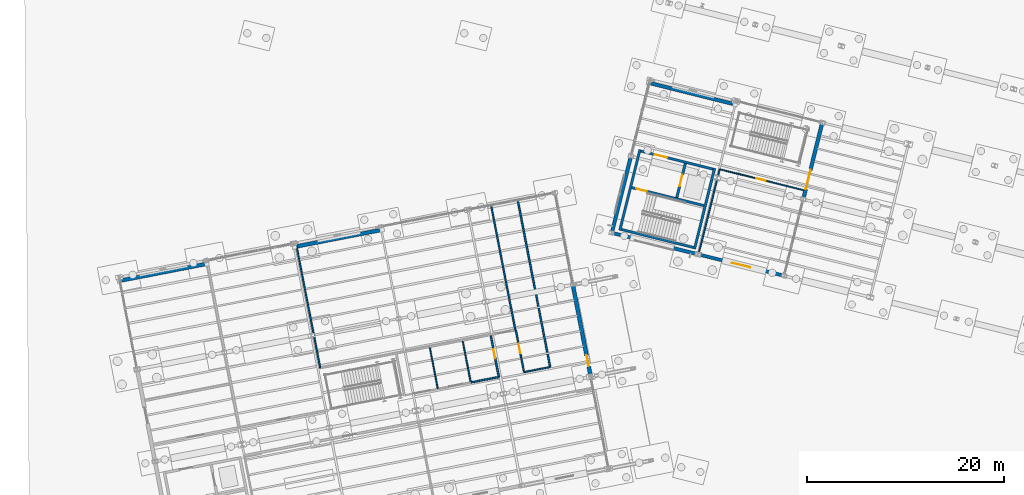
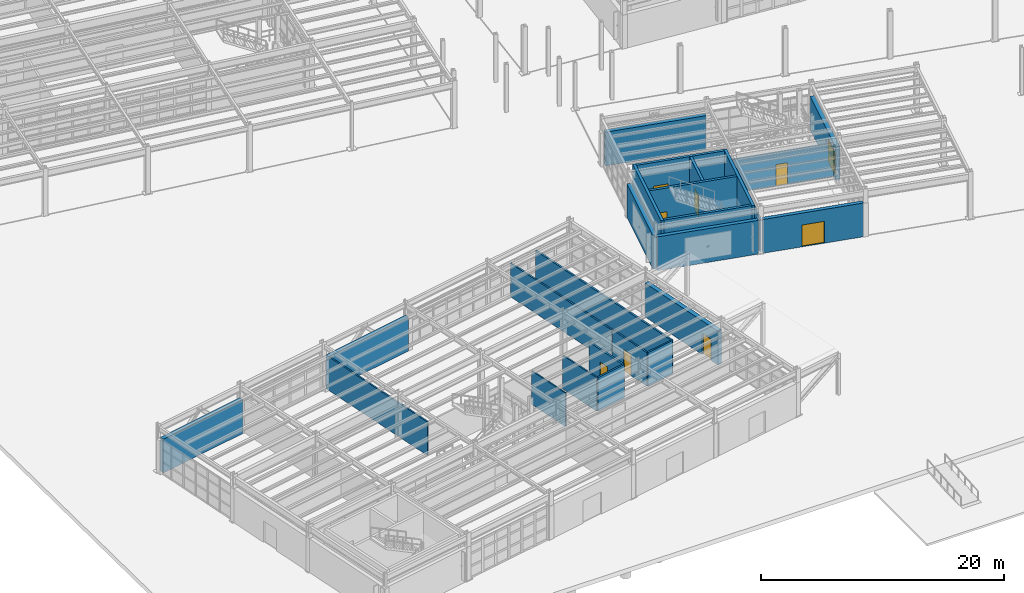
# One storey, part 85 of 108: 25 walls, 9 doors, 9 openings.
"""IFC4 building model written with IfcOpenShell, lengths in metres."""

from ifc_helpers import new_model, si_unit, direction, frame, frame_2d, origin, origin_with_axes, place, context, subcontext, project, spatial, rectangle, extrude, material, layer, layer_set, type_object, element, fill, save


model = new_model("IFC4")

# Units and contexts
model_context = context("Model", 3, precision=1e-05, world=origin(), true_north=direction((0.0, 1.0)))
body_context = subcontext(model_context, "Body", "Model", "MODEL_VIEW")
ifc_project = project(units=[si_unit("LENGTHUNIT", "METRE"), si_unit("AREAUNIT", "SQUARE_METRE"), si_unit("VOLUMEUNIT", "CUBIC_METRE"), si_unit("PLANEANGLEUNIT", "RADIAN"), si_unit("MASSUNIT", "GRAM", prefix="KILO")], contexts=[model_context])

# Site, building, storey
site_placement = place(None, origin())
site = spatial("IfcSite", under=ifc_project, at=site_placement, CompositionType="ELEMENT")
building_placement = place(site_placement, origin())
building = spatial("IfcBuilding", under=site, at=building_placement, Name="Vireo Bluff Cable Station", CompositionType="ELEMENT")
storey_placement = place(building_placement, origin())
storey = spatial("IfcBuildingStorey", under=building, at=storey_placement, Name="L00", CompositionType="ELEMENT", Elevation=0.0)

# Wall, opening, door
ifc_material_1 = material(Name="Precast concrete f'c 45 MPa", Category="concrete")
ifc_layer_1 = layer(ifc_material_1, 0.340087890625, Name="Precast concrete f'c 45 MPa")
ifc_layer_set_1 = layer_set([ifc_layer_1], Name="Precast concrete f'c 45 MPa")
wall_type_1 = type_object("IfcWallType", Name="EW-PRECAST-340", PredefinedType="SOLIDWALL", material=ifc_layer_set_1)
wall_1_placement = place(storey_placement, frame((71.268798828125, 33.6943359375, 0.0), z_axis=(0.0, 0.0, 1.0), x_axis=(-0.970294361038, 0.241927371204, 0.0)))
wall_1 = element("IfcWall", 1, at=wall_1_placement, inside=storey, type_object=wall_type_1, Name="V1 L00 south exterior wall 1", PredefinedType="SOLIDWALL", context=body_context, shape_type="SweptSolid", body=[
    extrude(rectangle(XDim=8.594970703125, YDim=0.340087890625, at=frame_2d((4.29736328125, 0.0))), origin(), (0.0, 0.0, 1.0), 3.39990234375),
])
opening_1_placement = place(wall_1_placement, frame((3.347412109375, 0.0, 0.0)))
opening_1 = element("IfcOpeningElement", 2, at=opening_1_placement, cuts=wall_1, Name="Opening ED-001", PredefinedType="OPENING", context=body_context, shape_type="SweptSolid", body=[
    extrude(rectangle(XDim=1.89990234375, YDim=2.199951171875, at=frame_2d((0.949951171875, 1.10009765625))), frame((0.0, 0.18017578125, 0.0), z_axis=(0.0, -1.0, 0.0), x_axis=(1.0, 0.0, 0.0)), (0.0, 0.0, 1.0), 0.360107421875),
])
ifc_material_2 = material(Name="Anodized Aluminium 6063-T6", Category="aluminium")
door_type_1 = type_object("IfcDoorType", Name="EDOOR-1900X2200", OperationType="NOTDEFINED", PredefinedType="DOOR", material=ifc_material_2)
door_1_placement = place(opening_1_placement, origin_with_axes())
door_1 = element("IfcDoor", 3, at=door_1_placement, inside=storey, type_object=door_type_1, Name="V1 L00 plaza exit door ED-001", OperationType="DOUBLE_DOOR_SINGLE_SWING", OverallHeight=2.199951171875, OverallWidth=1.89990234375, PredefinedType="DOOR", context=body_context, shape_type="SweptSolid", body=[
    extrude(rectangle(XDim=1.89990234375, YDim=2.199951171875, at=frame_2d((0.949951171875, 1.10009765625))), frame((0.0, 0.02490234375, 0.0), z_axis=(0.0, -1.0, 0.0), x_axis=(1.0, 0.0, 0.0)), (0.0, 0.0, 1.0), 0.050048828125),
])
fill(opening_1, door_1)

# Walls
ifc_layer_2 = layer(ifc_material_1, 0.35009765625, Name="Precast concrete f'c 45 MPa")
ifc_layer_set_2 = layer_set([ifc_layer_2], Name="Precast concrete f'c 45 MPa")
wall_type_2 = type_object("IfcWallType", Name="EW-PRECAST-350", PredefinedType="SOLIDWALL", material=ifc_layer_set_2)
wall_2_placement = place(storey_placement, frame((62.5361328125, 35.87158203125, 0.0), z_axis=(0.0, 0.0, 1.0), x_axis=(-0.970289778022, 0.241945751494, 0.0)))
element("IfcWall", 4, at=wall_2_placement, inside=storey, type_object=wall_type_2, Name="V1 L00 south exterior wall 2", PredefinedType="SOLIDWALL", context=body_context, shape_type="SweptSolid", body=[
    extrude(rectangle(XDim=8.66796875, YDim=0.35009765625, at=frame_2d((4.333984375, 0.0))), origin(), (0.0, 0.0, 1.0), 3.39990234375),
])
ifc_layer_3 = layer(ifc_material_1, 0.360107421875, Name="Precast concrete f'c 45 MPa")
ifc_layer_set_3 = layer_set([ifc_layer_3], Name="Precast concrete f'c 45 MPa")
wall_type_3 = type_object("IfcWallType", Name="EW-PRECAST-360", PredefinedType="SOLIDWALL", material=ifc_layer_set_3)
wall_3_placement = place(storey_placement, frame((54.031494140625, 38.126220703125, 0.0), z_axis=(0.0, 0.0, 1.0), x_axis=(0.241919518515, 0.970296318947, 0.0)))
element("IfcWall", 5, at=wall_3_placement, inside=storey, type_object=wall_type_3, Name="V1 L00 west exterior wall 3", PredefinedType="SOLIDWALL", context=body_context, shape_type="SweptSolid", body=[
    extrude(rectangle(XDim=7.739501953125, YDim=0.360107421875, at=frame_2d((3.86962890625, 0.0))), origin(), (0.0, 0.0, 1.0), 3.39990234375),
])
ifc_layer_4 = layer(ifc_material_1, 0.3701171875, Name="Precast concrete f'c 45 MPa")
ifc_layer_set_4 = layer_set([ifc_layer_4], Name="Precast concrete f'c 45 MPa")
wall_type_4 = type_object("IfcWallType", Name="EW-PRECAST-370", PredefinedType="SOLIDWALL", material=ifc_layer_set_4)
wall_4_placement = place(storey_placement, frame((57.91357421875, 53.16357421875, 0.0), z_axis=(0.0, 0.0, 1.0), x_axis=(0.970294723732, -0.241925916547, 0.0)))
element("IfcWall", 6, at=wall_4_placement, inside=storey, type_object=wall_type_4, Name="V1 L00 north exterior wall 4", PredefinedType="SOLIDWALL", context=body_context, shape_type="SweptSolid", body=[
    extrude(rectangle(XDim=8.668701171875, YDim=0.3701171875, at=frame_2d((4.33447265625, 0.0))), origin(), (0.0, 0.0, 1.0), 3.39990234375),
])

# Wall, opening, door
ifc_layer_5 = layer(ifc_material_1, 0.3798828125, Name="Precast concrete f'c 45 MPa")
ifc_layer_set_5 = layer_set([ifc_layer_5], Name="Precast concrete f'c 45 MPa")
wall_type_5 = type_object("IfcWallType", Name="EW-PRECAST-380", PredefinedType="SOLIDWALL", material=ifc_layer_set_5)
wall_5_placement = place(storey_placement, frame((75.287353515625, 48.974609375, 0.0), z_axis=(0.0, 0.0, 1.0), x_axis=(-0.241922362645, -0.970295609828, 0.0)))
wall_5 = element("IfcWall", 7, at=wall_5_placement, inside=storey, type_object=wall_type_5, Name="V1 L00 east exterior wall 5", PredefinedType="SOLIDWALL", context=body_context, shape_type="SweptSolid", body=[
    extrude(rectangle(XDim=7.587890625, YDim=0.3798828125, at=frame_2d((3.7939453125, 0.0))), origin(), (0.0, 0.0, 1.0), 3.39990234375),
])
opening_2_placement = place(wall_5_placement, frame((4.74853515625, 0.0, 0.0)))
opening_2 = element("IfcOpeningElement", 8, at=opening_2_placement, cuts=wall_5, Name="Opening ED-002", PredefinedType="OPENING", context=body_context, shape_type="SweptSolid", body=[
    extrude(rectangle(XDim=2.0, YDim=2.25, at=frame_2d((1.0, 1.125))), frame((0.0, 0.199951171875, 0.0), z_axis=(0.0, -1.0, 0.0), x_axis=(1.0, 0.0, 0.0)), (0.0, 0.0, 1.0), 0.39990234375),
])
door_type_2 = type_object("IfcDoorType", Name="EDOOR-2000X2250", OperationType="NOTDEFINED", PredefinedType="DOOR", material=ifc_material_2)
door_2_placement = place(opening_2_placement, origin_with_axes())
door_2 = element("IfcDoor", 9, at=door_2_placement, inside=storey, type_object=door_type_2, Name="V1 L00 plaza exit door ED-002", OperationType="DOUBLE_DOOR_SINGLE_SWING", OverallHeight=2.25, OverallWidth=2.0, PredefinedType="DOOR", context=body_context, shape_type="SweptSolid", body=[
    extrude(rectangle(XDim=2.0, YDim=2.25, at=frame_2d((1.0, 1.125))), frame((0.0, 0.02490234375, 0.0), z_axis=(0.0, -1.0, 0.0), x_axis=(1.0, 0.0, 0.0)), (0.0, 0.0, 1.0), 0.050048828125),
])
fill(opening_2, door_2)

# Walls
wall_6_placement = place(storey_placement, frame((4.25341796875, 33.167236328125, 0.0), z_axis=(0.0, 0.0, 1.0), x_axis=(0.981627117444, 0.190809334934, 0.0)))
element("IfcWall", 10, at=wall_6_placement, inside=storey, type_object=wall_type_5, Name="V5 L00 north exterior wall 95", PredefinedType="SOLIDWALL", context=body_context, shape_type="SweptSolid", body=[
    extrude(rectangle(XDim=8.666015625, YDim=0.3798828125, at=frame_2d((4.3330078125, 0.0))), origin(), (0.0, 0.0, 1.0), 3.39990234375),
])
ifc_layer_6 = layer(ifc_material_1, 0.389892578125, Name="Precast concrete f'c 45 MPa")
ifc_layer_set_6 = layer_set([ifc_layer_6], Name="Precast concrete f'c 45 MPa")
wall_type_6 = type_object("IfcWallType", Name="EW-PRECAST-390", PredefinedType="SOLIDWALL", material=ifc_layer_set_6)
wall_7_placement = place(storey_placement, frame((21.994873046875, 36.61572265625, 0.0), z_axis=(0.0, 0.0, 1.0), x_axis=(0.981623865892, 0.190826061931, 0.0)))
element("IfcWall", 11, at=wall_7_placement, inside=storey, type_object=wall_type_6, Name="V5 L00 north exterior wall 96", PredefinedType="SOLIDWALL", context=body_context, shape_type="SweptSolid", body=[
    extrude(rectangle(XDim=8.693359375, YDim=0.389892578125, at=frame_2d((4.3466796875, 0.0))), origin(), (0.0, 0.0, 1.0), 3.39990234375),
])

# Wall, opening, door
ifc_layer_7 = layer(ifc_material_1, 0.39990234375, Name="Precast concrete f'c 45 MPa")
ifc_layer_set_7 = layer_set([ifc_layer_7], Name="Precast concrete f'c 45 MPa")
wall_type_7 = type_object("IfcWallType", Name="EW-PRECAST-400", PredefinedType="SOLIDWALL", material=ifc_layer_set_7)
wall_8_placement = place(storey_placement, frame((50.07275390625, 32.609130859375, 0.0), z_axis=(0.0, 0.0, 1.0), x_axis=(0.190802658427, -0.981628415205, 0.0)))
wall_8 = element("IfcWall", 12, at=wall_8_placement, inside=storey, type_object=wall_type_7, Name="V5 L00 east exterior wall 97", PredefinedType="SOLIDWALL", context=body_context, shape_type="SweptSolid", body=[
    extrude(rectangle(XDim=9.16796875, YDim=0.39990234375, at=frame_2d((4.583984375, 0.0))), origin(), (0.0, 0.0, 1.0), 3.39990234375),
])
opening_3_placement = place(wall_8_placement, frame((7.16943359375, 0.0, 0.0)))
opening_3 = element("IfcOpeningElement", 13, at=opening_3_placement, cuts=wall_8, Name="Opening ED-010", PredefinedType="OPENING", context=body_context, shape_type="SweptSolid", body=[
    extrude(rectangle(XDim=1.10009765625, YDim=2.14990234375, at=frame_2d((0.550048828125, 1.074951171875))), frame((0.0, 0.2099609375, 0.0), z_axis=(0.0, -1.0, 0.0), x_axis=(1.0, 0.0, 0.0)), (0.0, 0.0, 1.0), 0.419921875),
])
door_type_3 = type_object("IfcDoorType", Name="EDOOR-1100X2150", OperationType="NOTDEFINED", PredefinedType="DOOR", material=ifc_material_2)
door_3_placement = place(opening_3_placement, origin_with_axes())
door_3 = element("IfcDoor", 14, at=door_3_placement, inside=storey, type_object=door_type_3, Name="V5 L00 plaza exit door ED-010", OperationType="SINGLE_SWING_LEFT", OverallHeight=2.14990234375, OverallWidth=1.10009765625, PredefinedType="DOOR", context=body_context, shape_type="SweptSolid", body=[
    extrude(rectangle(XDim=1.10009765625, YDim=2.14990234375, at=frame_2d((0.550048828125, 1.074951171875))), frame((0.0, 0.02490234375, 0.0), z_axis=(0.0, -1.0, 0.0), x_axis=(1.0, 0.0, 0.0)), (0.0, 0.0, 1.0), 0.050048828125),
])
fill(opening_3, door_3)

ifc_material_3 = material(Name="Fire-Rated Gypsum Board Partition")
ifc_layer_8 = layer(ifc_material_3, 0.1201171875, Name="Fire-Rated Gypsum Board Partition")
ifc_layer_set_8 = layer_set([ifc_layer_8], Name="Fire-Rated Gypsum Board Partition")
wall_type_8 = type_object("IfcWallType", Name="PT-1HR-120", PredefinedType="PARTITIONING", material=ifc_layer_set_8)
wall_9_placement = place(storey_placement, frame((64.934326171875, 44.4462890625, 0.0), z_axis=(0.0, 0.0, 1.0), x_axis=(0.970296061329, -0.241920551773, 0.0)))
wall_9 = element("IfcWall", 15, at=wall_9_placement, inside=storey, type_object=wall_type_8, Name="V1 L00 Passenger Information Desk N partition", PredefinedType="PARTITIONING", context=body_context, shape_type="SweptSolid", body=[
    extrude(rectangle(XDim=8.77978515625, YDim=0.1201171875, at=frame_2d((4.389892578125, 0.0))), origin(), (0.0, 0.0, 1.0), 3.3798828125),
])
opening_4_placement = place(wall_9_placement, frame((3.824951171875, 0.0, 0.0)))
opening_4 = element("IfcOpeningElement", 16, at=opening_4_placement, cuts=wall_9, Name="Opening D-0041", PredefinedType="OPENING", context=body_context, shape_type="SweptSolid", body=[
    extrude(rectangle(XDim=1.0, YDim=2.14990234375, at=frame_2d((0.5, 1.074951171875))), frame((0.0, 0.070068359375, 0.0), z_axis=(0.0, -1.0, 0.0), x_axis=(1.0, 0.0, 0.0)), (0.0, 0.0, 1.0), 0.14013671875),
])
door_type_4 = type_object("IfcDoorType", Name="IDOOR60-1000X2150", OperationType="NOTDEFINED", PredefinedType="DOOR", material=ifc_material_2)
door_4_placement = place(opening_4_placement, origin_with_axes())
door_4 = element("IfcDoor", 17, at=door_4_placement, inside=storey, type_object=door_type_4, Name="V1 L00 Passenger Information Desk door D-0041", OperationType="SINGLE_SWING_RIGHT", OverallHeight=2.14990234375, OverallWidth=1.0, PredefinedType="DOOR", context=body_context, shape_type="SweptSolid", body=[
    extrude(rectangle(XDim=1.0, YDim=2.14990234375, at=frame_2d((0.5, 1.074951171875))), frame((0.0, 0.02490234375, 0.0), z_axis=(0.0, -1.0, 0.0), x_axis=(1.0, 0.0, 0.0)), (0.0, 0.0, 1.0), 0.050048828125),
])
fill(opening_4, door_4)

# Walls
wall_10_placement = place(storey_placement, frame((36.360595703125, 22.181640625, 0.0), z_axis=(0.0, 0.0, 1.0), x_axis=(-0.190832757405, 0.981622564279, 0.0)))
element("IfcWall", 18, at=wall_10_placement, inside=storey, type_object=wall_type_8, Name="V5 L00 Female WC L00 W partition", PredefinedType="PARTITIONING", context=body_context, shape_type="SweptSolid", body=[
    extrude(rectangle(XDim=4.25, YDim=0.1201171875, at=frame_2d((2.125, 0.0))), origin(), (0.0, 0.0, 1.0), 3.3798828125),
])
ifc_layer_9 = layer(ifc_material_3, 0.1298828125, Name="Fire-Rated Gypsum Board Partition")
ifc_layer_set_9 = layer_set([ifc_layer_9], Name="Fire-Rated Gypsum Board Partition")
wall_type_9 = type_object("IfcWallType", Name="PT-1HR-130", PredefinedType="PARTITIONING", material=ifc_layer_set_9)
wall_11_placement = place(storey_placement, frame((62.822265625, 35.9755859375, 0.0), z_axis=(0.0, 0.0, 1.0), x_axis=(0.24193020533, 0.97029365439, 0.0)))
element("IfcWall", 19, at=wall_11_placement, inside=storey, type_object=wall_type_9, Name="V1 L00 Passenger Information Desk W partition", PredefinedType="PARTITIONING", context=body_context, shape_type="SweptSolid", body=[
    extrude(rectangle(XDim=8.72998046875, YDim=0.1298828125, at=frame_2d((4.364990234375, 0.0))), origin(), (0.0, 0.0, 1.0), 3.3798828125),
])
wall_12_placement = place(storey_placement, frame((38.886962890625, 27.00244140625, 0.0), z_axis=(0.0, 0.0, 1.0), x_axis=(0.190832757405, -0.981622564279, 0.0)))
element("IfcWall", 20, at=wall_12_placement, inside=storey, type_object=wall_type_9, Name="V5 L00 Female WC L00 E partition", PredefinedType="PARTITIONING", context=body_context, shape_type="SweptSolid", body=[
    extrude(rectangle(XDim=4.25, YDim=0.1298828125, at=frame_2d((2.125, 0.0))), origin(), (0.0, 0.0, 1.0), 3.3798828125),
])
ifc_layer_10 = layer(ifc_material_3, 0.139892578125, Name="Fire-Rated Gypsum Board Partition")
ifc_layer_set_10 = layer_set([ifc_layer_10], Name="Fire-Rated Gypsum Board Partition")
wall_type_10 = type_object("IfcWallType", Name="PT-1HR-140", PredefinedType="PARTITIONING", material=ifc_layer_set_10)
wall_13_placement = place(storey_placement, frame((24.43798828125, 24.295654296875, 0.0), z_axis=(0.0, 0.0, 1.0), x_axis=(-0.190806006341, 0.981627764453, 0.0)))
element("IfcWall", 21, at=wall_13_placement, inside=storey, type_object=wall_type_10, Name="V5 L00 Ticket Operations Office W partition", PredefinedType="PARTITIONING", context=body_context, shape_type="SweptSolid", body=[
    extrude(rectangle(XDim=12.72998046875, YDim=0.139892578125, at=frame_2d((6.364990234375, 0.0))), origin(), (0.0, 0.0, 1.0), 3.3798828125),
])
wall_14_placement = place(storey_placement, frame((47.747314453125, 24.39501953125, 0.0), z_axis=(0.0, 0.0, 1.0), x_axis=(-0.981630445883, -0.190792210834, 0.0)))
element("IfcWall", 22, at=wall_14_placement, inside=storey, type_object=wall_type_10, Name="V5 L00 Luggage and Ski Check Room S partition", PredefinedType="PARTITIONING", context=body_context, shape_type="SweptSolid", body=[
    extrude(rectangle(XDim=2.699951171875, YDim=0.139892578125, at=frame_2d((1.35009765625, 0.0))), origin(), (0.0, 0.0, 1.0), 3.3798828125),
])
ifc_layer_11 = layer(ifc_material_3, 0.14990234375, Name="Fire-Rated Gypsum Board Partition")
ifc_layer_set_11 = layer_set([ifc_layer_11], Name="Fire-Rated Gypsum Board Partition")
wall_type_11 = type_object("IfcWallType", Name="PT-1HR-150", PredefinedType="PARTITIONING", material=ifc_layer_set_11)
wall_15_placement = place(storey_placement, frame((41.788818359375, 40.636474609375, 0.0), z_axis=(0.0, 0.0, 1.0), x_axis=(0.190806006341, -0.981627764453, 0.0)))
element("IfcWall", 23, at=wall_15_placement, inside=storey, type_object=wall_type_11, Name="V5 L00 Ticket Operations Office E partition", PredefinedType="PARTITIONING", context=body_context, shape_type="SweptSolid", body=[
    extrude(rectangle(XDim=12.72998046875, YDim=0.14990234375, at=frame_2d((6.364990234375, 0.0))), origin(), (0.0, 0.0, 1.0), 3.3798828125),
])

# Wall, opening, door
wall_16_placement = place(storey_placement, frame((45.096923828125, 23.8798828125, 0.0), z_axis=(0.0, 0.0, 1.0), x_axis=(-0.190828627284, 0.981623367188, 0.0)))
wall_16 = element("IfcWall", 24, at=wall_16_placement, inside=storey, type_object=wall_type_11, Name="V5 L00 Luggage and Ski Check Room W partition", PredefinedType="PARTITIONING", context=body_context, shape_type="SweptSolid", body=[
    extrude(rectangle(XDim=4.300048828125, YDim=0.14990234375, at=frame_2d((2.14990234375, 0.0))), origin(), (0.0, 0.0, 1.0), 3.3798828125),
])
opening_5_placement = place(wall_16_placement, frame((1.968994140625, 0.0, 0.0)))
opening_5 = element("IfcOpeningElement", 25, at=opening_5_placement, cuts=wall_16, Name="Opening D-0105", PredefinedType="OPENING", context=body_context, shape_type="SweptSolid", body=[
    extrude(rectangle(XDim=0.949951171875, YDim=2.14990234375, at=frame_2d((0.47509765625, 1.074951171875))), frame((0.0, 0.0849609375, 0.0), z_axis=(0.0, -1.0, 0.0), x_axis=(1.0, 0.0, 0.0)), (0.0, 0.0, 1.0), 0.169921875),
])
door_type_5 = type_object("IfcDoorType", Name="IDOOR60-950X2150", OperationType="NOTDEFINED", PredefinedType="DOOR", material=ifc_material_2)
door_5_placement = place(opening_5_placement, origin_with_axes())
door_5 = element("IfcDoor", 26, at=door_5_placement, inside=storey, type_object=door_type_5, Name="V5 L00 Luggage and Ski Check Room door D-0105", OperationType="SINGLE_SWING_RIGHT", OverallHeight=2.14990234375, OverallWidth=0.949951171875, PredefinedType="DOOR", context=body_context, shape_type="SweptSolid", body=[
    extrude(rectangle(XDim=0.949951171875, YDim=2.14990234375, at=frame_2d((0.47509765625, 1.074951171875))), frame((0.0, 0.02490234375, 0.0), z_axis=(0.0, -1.0, 0.0), x_axis=(1.0, 0.0, 0.0)), (0.0, 0.0, 1.0), 0.050048828125),
])
fill(opening_5, door_5)

# Walls
ifc_layer_12 = layer(ifc_material_3, 0.1650390625, Name="Fire-Rated Gypsum Board Partition")
ifc_layer_set_12 = layer_set([ifc_layer_12], Name="Fire-Rated Gypsum Board Partition")
wall_type_12 = type_object("IfcWallType", Name="PT-1HR-165", PredefinedType="PARTITIONING", material=ifc_layer_set_12)
wall_17_placement = place(storey_placement, frame((44.48828125, 41.161376953125, 0.0), z_axis=(0.0, 0.0, 1.0), x_axis=(0.190808062504, -0.981627364779, 0.0)))
element("IfcWall", 27, at=wall_17_placement, inside=storey, type_object=wall_type_12, Name="V5 L00 Luggage and Ski Check Room E partition", PredefinedType="PARTITIONING", context=body_context, shape_type="SweptSolid", body=[
    extrude(rectangle(XDim=17.080078125, YDim=0.1650390625, at=frame_2d((8.5400390625, 0.0))), origin(), (0.0, 0.0, 1.0), 3.3798828125),
])
wall_18_placement = place(storey_placement, frame((42.544677734375, 23.3837890625, 0.0), z_axis=(0.0, 0.0, 1.0), x_axis=(-0.981633664584, -0.190775649797, 0.0)))
element("IfcWall", 28, at=wall_18_placement, inside=storey, type_object=wall_type_12, Name="V5 L00 Accessible WC L00 S partition", PredefinedType="PARTITIONING", context=body_context, shape_type="SweptSolid", body=[
    extrude(rectangle(XDim=2.849853515625, YDim=0.1650390625, at=frame_2d((1.4248046875, 0.0))), origin(), (0.0, 0.0, 1.0), 3.3798828125),
])

# Wall, opening, door
ifc_layer_13 = layer(ifc_material_3, 0.175048828125, Name="Fire-Rated Gypsum Board Partition")
ifc_layer_set_13 = layer_set([ifc_layer_13], Name="Fire-Rated Gypsum Board Partition")
wall_type_13 = type_object("IfcWallType", Name="PT-1HR-175", PredefinedType="PARTITIONING", material=ifc_layer_set_13)
wall_19_placement = place(storey_placement, frame((41.73388671875, 27.5556640625, 0.0), z_axis=(0.0, 0.0, 1.0), x_axis=(0.190777403342, -0.98163332379, 0.0)))
wall_19 = element("IfcWall", 29, at=wall_19_placement, inside=storey, type_object=wall_type_13, Name="V5 L00 Accessible WC L00 E partition", PredefinedType="PARTITIONING", context=body_context, shape_type="SweptSolid", body=[
    extrude(rectangle(XDim=4.25, YDim=0.175048828125, at=frame_2d((2.125, 0.0))), origin(), (0.0, 0.0, 1.0), 3.3798828125),
])
opening_6_placement = place(wall_19_placement, frame((1.373291015625, 0.0, 0.0)))
opening_6 = element("IfcOpeningElement", 30, at=opening_6_placement, cuts=wall_19, Name="Opening D-0109", PredefinedType="OPENING", context=body_context, shape_type="SweptSolid", body=[
    extrude(rectangle(XDim=0.919921875, YDim=2.1201171875, at=frame_2d((0.4599609375, 1.06005859375))), frame((0.0, 0.09765625, 0.0), z_axis=(0.0, -1.0, 0.0), x_axis=(1.0, 0.0, 0.0)), (0.0, 0.0, 1.0), 0.195068359375),
])
door_type_6 = type_object("IfcDoorType", Name="IDOOR60-920X2120", OperationType="NOTDEFINED", PredefinedType="DOOR", material=ifc_material_2)
door_6_placement = place(opening_6_placement, origin_with_axes())
door_6 = element("IfcDoor", 31, at=door_6_placement, inside=storey, type_object=door_type_6, Name="V5 L00 Accessible WC L00 door D-0109", OperationType="SINGLE_SWING_RIGHT", OverallHeight=2.1201171875, OverallWidth=0.919921875, PredefinedType="DOOR", context=body_context, shape_type="SweptSolid", body=[
    extrude(rectangle(XDim=0.919921875, YDim=2.1201171875, at=frame_2d((0.4599609375, 1.06005859375))), frame((0.0, 0.02490234375, 0.0), z_axis=(0.0, -1.0, 0.0), x_axis=(1.0, 0.0, 0.0)), (0.0, 0.0, 1.0), 0.050048828125),
])
fill(opening_6, door_6)

# Walls
ifc_material_4 = material(Name="Concrete f'c 40 MPa", Category="concrete")
ifc_layer_14 = layer(ifc_material_4, 0.25, Name="Concrete f'c 40 MPa")
ifc_layer_set_14 = layer_set([ifc_layer_14], Name="Concrete f'c 40 MPa")
wall_type_14 = type_object("IfcWallType", Name="SW-CORE-250", PredefinedType="SHEAR", material=ifc_layer_set_14)
for number, where, z_axis, x_axis, name in (
    (32, (54.809814453125, 38.25146484375, 0.0), (0.0, 0.0, 1.0), (0.24193628408, 0.970292138712, 0.0), "CORE-2 L00 core W shear wall"),
    (33, (62.378173828125, 36.364501953125, 0.0), (0.0, 0.0, 1.0), (0.24193628408, 0.970292138712, 0.0), "CORE-2 L00 core E shear wall"),
):
    element("IfcWall", number, at=place(storey_placement, frame(where, z_axis=z_axis, x_axis=x_axis)), inside=storey, type_object=wall_type_14, Name=name, PredefinedType="SHEAR", context=body_context, shape_type="SweptSolid", body=[
        extrude(rectangle(XDim=8.43505859375, YDim=0.25, at=frame_2d((4.217529296875, 0.0))), origin(), (0.0, 0.0, 1.0), 4.5400390625),
    ])
wall_20_placement = place(storey_placement, frame((54.96142578125, 38.342529296875, 0.0), z_axis=(0.0, 0.0, 1.0), x_axis=(0.97029827707, -0.241911664693, 0.0)))
element("IfcWall", 34, at=wall_20_placement, inside=storey, type_object=wall_type_14, Name="CORE-2 L00 stair shaft south shear wall", PredefinedType="SHEAR", context=body_context, shape_type="SweptSolid", body=[
    extrude(rectangle(XDim=7.550048828125, YDim=0.25, at=frame_2d((3.77490234375, 0.0))), origin(), (0.0, 0.0, 1.0), 4.5400390625),
])

# Wall, opening, door
wall_21_placement = place(storey_placement, frame((56.0185546875, 42.582763671875, 0.0), z_axis=(0.0, 0.0, 1.0), x_axis=(0.970300169372, -0.241904074618, 0.0)))
wall_21 = element("IfcWall", 35, at=wall_21_placement, inside=storey, type_object=wall_type_14, Name="CORE-2 L00 stair shaft north shear wall", PredefinedType="SHEAR", context=body_context, shape_type="SweptSolid", body=[
    extrude(rectangle(XDim=7.550048828125, YDim=0.25, at=frame_2d((3.77490234375, 0.0))), origin(), (0.0, 0.0, 1.0), 4.5400390625),
])
opening_7_placement = place(wall_21_placement, frame((0.449951171875, 0.0, 0.0)))
opening_7 = element("IfcOpeningElement", 36, at=opening_7_placement, cuts=wall_21, Name="Opening SD-007", PredefinedType="OPENING", context=body_context, shape_type="SweptSolid", body=[
    extrude(rectangle(XDim=1.10009765625, YDim=2.14990234375, at=frame_2d((0.550048828125, 1.074951171875))), frame((0.0, 0.135009765625, 0.0), z_axis=(0.0, -1.0, 0.0), x_axis=(1.0, 0.0, 0.0)), (0.0, 0.0, 1.0), 0.27001953125),
])
ifc_material_5 = material(Name="Stainless Steel 316", Category="steel")
door_type_7 = type_object("IfcDoorType", Name="IDOOR90-1100X2150", OperationType="NOTDEFINED", PredefinedType="DOOR", material=ifc_material_5)
door_7_placement = place(opening_7_placement, origin_with_axes())
door_7 = element("IfcDoor", 37, at=door_7_placement, inside=storey, type_object=door_type_7, Name="CORE-2 L00 stair fire door SD-007", OperationType="SINGLE_SWING_RIGHT", OverallHeight=2.14990234375, OverallWidth=1.10009765625, PredefinedType="DOOR", context=body_context, shape_type="SweptSolid", body=[
    extrude(rectangle(XDim=1.10009765625, YDim=2.14990234375, at=frame_2d((0.550048828125, 1.074951171875))), frame((0.0, 0.02490234375, 0.0), z_axis=(0.0, -1.0, 0.0), x_axis=(1.0, 0.0, 0.0)), (0.0, 0.0, 1.0), 0.050048828125),
])
fill(opening_7, door_7)

wall_22_placement = place(storey_placement, frame((56.941650390625, 46.284423828125, 0.0), z_axis=(0.0, 0.0, 1.0), x_axis=(0.97029827707, -0.241911664693, 0.0)))
wall_22 = element("IfcWall", 38, at=wall_22_placement, inside=storey, type_object=wall_type_14, Name="CORE-2 L00 core north shear wall", PredefinedType="SHEAR", context=body_context, shape_type="SweptSolid", body=[
    extrude(rectangle(XDim=7.550048828125, YDim=0.25, at=frame_2d((3.77490234375, 0.0))), origin(), (0.0, 0.0, 1.0), 4.5400390625),
])
opening_8_placement = place(wall_22_placement, frame((1.449951171875, 0.0, 0.0)))
opening_8 = element("IfcOpeningElement", 39, at=opening_8_placement, cuts=wall_22, Name="Opening FD-008", PredefinedType="OPENING", context=body_context, shape_type="SweptSolid", body=[
    extrude(rectangle(XDim=1.300048828125, YDim=2.14990234375, at=frame_2d((0.64990234375, 1.074951171875))), frame((0.0, 0.135009765625, 0.0), z_axis=(0.0, -1.0, 0.0), x_axis=(1.0, 0.0, 0.0)), (0.0, 0.0, 1.0), 0.27001953125),
])
door_type_8 = type_object("IfcDoorType", Name="IDOOR90-1300X2150", OperationType="NOTDEFINED", PredefinedType="DOOR", material=ifc_material_5)
door_8_placement = place(opening_8_placement, origin_with_axes())
door_8 = element("IfcDoor", 40, at=door_8_placement, inside=storey, type_object=door_type_8, Name="CORE-2 L00 firefighting lobby door FD-008", OperationType="SINGLE_SWING_LEFT", OverallHeight=2.14990234375, OverallWidth=1.300048828125, PredefinedType="DOOR", context=body_context, shape_type="SweptSolid", body=[
    extrude(rectangle(XDim=1.300048828125, YDim=2.14990234375, at=frame_2d((0.64990234375, 1.074951171875))), frame((0.0, 0.02490234375, 0.0), z_axis=(0.0, -1.0, 0.0), x_axis=(1.0, 0.0, 0.0)), (0.0, 0.0, 1.0), 0.050048828125),
])
fill(opening_8, door_8)

wall_23_placement = place(storey_placement, frame((60.5849609375, 41.572998046875, 0.0), z_axis=(0.0, 0.0, 1.0), x_axis=(0.241939401498, 0.970291361398, 0.0)))
wall_23 = element("IfcWall", 41, at=wall_23_placement, inside=storey, type_object=wall_type_14, Name="CORE-2 L00 lift shaft front wall", PredefinedType="SHEAR", context=body_context, shape_type="SweptSolid", body=[
    extrude(rectangle(XDim=3.565185546875, YDim=0.25, at=frame_2d((1.78271484375, 0.0))), origin(), (0.0, 0.0, 1.0), 4.5400390625),
])
opening_9_placement = place(wall_23_placement, frame((1.1826171875, 0.0, 0.0)))
opening_9 = element("IfcOpeningElement", 42, at=opening_9_placement, cuts=wall_23, Name="Opening LD-004", PredefinedType="OPENING", context=body_context, shape_type="SweptSolid", body=[
    extrude(rectangle(XDim=1.199951171875, YDim=2.14990234375, at=frame_2d((0.60009765625, 1.074951171875))), frame((0.0, 0.135009765625, 0.0), z_axis=(0.0, -1.0, 0.0), x_axis=(1.0, 0.0, 0.0)), (0.0, 0.0, 1.0), 0.27001953125),
])
door_type_9 = type_object("IfcDoorType", Name="LIFTDOOR-1200X2150", OperationType="DOUBLE_DOOR_SLIDING", PredefinedType="DOOR", material=ifc_material_5)
door_9_placement = place(opening_9_placement, origin_with_axes())
door_9 = element("IfcDoor", 43, at=door_9_placement, inside=storey, type_object=door_type_9, Name="CORE-2 L00 lift sliding landing door LD-004", OperationType="DOUBLE_DOOR_SLIDING", OverallHeight=2.14990234375, OverallWidth=1.199951171875, PredefinedType="DOOR", context=body_context, shape_type="SweptSolid", body=[
    extrude(rectangle(XDim=1.199951171875, YDim=2.14990234375, at=frame_2d((0.60009765625, 1.074951171875))), frame((0.0, 0.02490234375, 0.0), z_axis=(0.0, -1.0, 0.0), x_axis=(1.0, 0.0, 0.0)), (0.0, 0.0, 1.0), 0.050048828125),
])
fill(opening_9, door_9)

save(model, "model.ifc")
